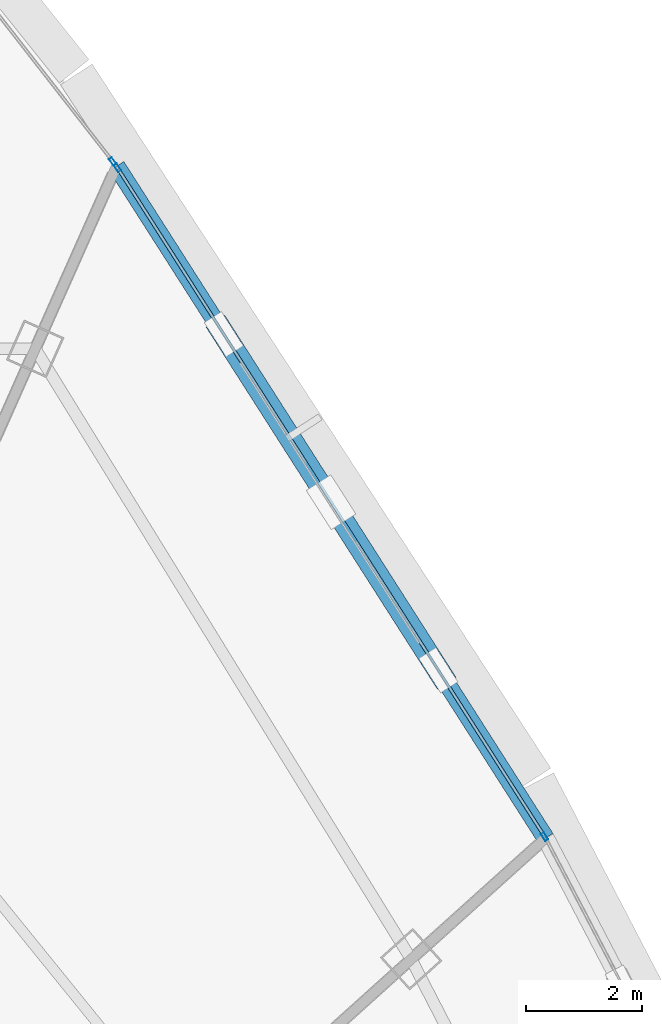
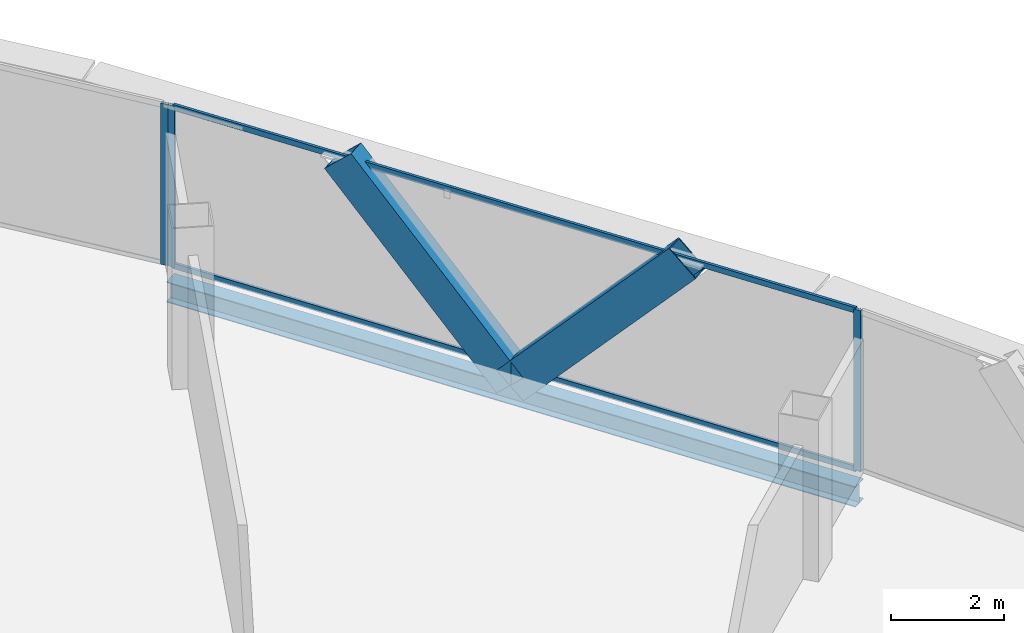
# One storey, part 23 of 37: 7 members, 1 beam, 2 elements without a shape of their own.
"""IFC4 building model written with IfcOpenShell, lengths in metres."""

from ifc_helpers import new_model, si_unit, direction, frame, origin, origin_2d, place, context, subcontext, project, spatial, hollow_rectangle, i_section, extrude, source, transform, mapped, material, layer, layer_set, material_profile, profile_set, type_object, element, aggregate, save


model = new_model("IFC4")

# Units and contexts
model_context = context("Model", 3, precision=1e-05, world=origin(), true_north=direction((0.0, 1.0)))
body_context = subcontext(model_context, "Body", "Model", "MODEL_VIEW")
ifc_project = project(units=[si_unit("LENGTHUNIT", "METRE"), si_unit("AREAUNIT", "SQUARE_METRE"), si_unit("VOLUMEUNIT", "CUBIC_METRE"), si_unit("PLANEANGLEUNIT", "RADIAN"), si_unit("MASSUNIT", "GRAM", prefix="KILO"), si_unit("THERMODYNAMICTEMPERATUREUNIT", "KELVIN"), si_unit("POWERUNIT", "WATT")], contexts=[model_context])

# Site, building, storey
site_placement = place(None, origin())
site = spatial("IfcSite", under=ifc_project, at=site_placement, CompositionType="ELEMENT")
building_placement = place(site_placement, origin())
building = spatial("IfcBuilding", under=site, at=building_placement, Name="Yunzhuo Pagoda Commons", CompositionType="ELEMENT")
storey_placement = place(building_placement, frame((0.0, 0.0, 281.2900390625)))
storey = spatial("IfcBuildingStorey", under=building, at=storey_placement, Name="L70", CompositionType="ELEMENT", Elevation=281.2900390625)

# Beam
ifc_material_1 = material(Name="Structural steel Q355B", Category="steel")
ifc_material_profile_1 = material_profile(ifc_material_1, i_section(OverallWidth=0.300048828125, OverallDepth=0.43994140625, WebThickness=0.010986328125, FlangeThickness=0.01806640625, at=origin_2d()), Name="Structural steel Q355B")
ifc_profile_set_1 = profile_set([ifc_material_profile_1], Name="Structural steel Q355B")
beam_type = type_object("IfcBeamType", Name="B-SP2 Beam HM 440x300x11x18", PredefinedType="BEAM", material=ifc_profile_set_1)
shared_shape_1 = source(origin(), body_context, "Body", "SweptSolid", [
    extrude(i_section(OverallWidth=0.300048828125, OverallDepth=0.43994140625, WebThickness=0.010986328125, FlangeThickness=0.01806640625, at=origin_2d()), origin(), (0.0, 0.0, 1.0), 13.6962890625),
])
beam_placement = place(storey_placement, frame((68.883056640625, 52.5029296875, -0.47998046875), z_axis=(-0.53827499395, 0.842769263137, 0.0), x_axis=(-0.842769263137, -0.53827499395, 0.0)))
element("IfcBeam", 1, at=beam_placement, inside=storey, type_object=beam_type, Name="L70 facade edge spandrel beam F2.3", PredefinedType="BEAM", context=body_context, shape_type="MappedRepresentation", body=[
    mapped(shared_shape_1, transform((0.0, 0.0, 0.0), scale=1.0)),
])

# Members
ifc_material_profile_2 = material_profile(ifc_material_1, hollow_rectangle(XDim=0.3798828125, YDim=0.719970703125, WallThickness=0.02001953125, at=origin_2d()), Name="Structural steel Q355B")
ifc_profile_set_2 = profile_set([ifc_material_profile_2], Name="Structural steel Q355B")
member_type_1 = type_object("IfcMemberType", Name="M-DL3 Brace BOX 720x380x20", PredefinedType="BRACE", material=ifc_profile_set_2)
shared_shape_2 = source(origin(), body_context, "Body", "SweptSolid", [
    extrude(hollow_rectangle(XDim=0.3798828125, YDim=0.719970703125, WallThickness=0.02001953125, at=origin_2d()), origin(), (0.0, 0.0, 1.0), 5.063232421875),
])
for number, where, z_axis, x_axis, name in (
    (2, (65.19677734375, 58.274169921875, -0.260009765625), (0.36400555644, -0.569900870519, 0.736690540637), (0.842761854784, 0.538286592924, 0.0), "L70 facade diamond brace F2.3L"),
    (3, (65.19677734375, 58.274169921875, -0.260009765625), (-0.363995553528, 0.569933427301, 0.736670296304), (-0.842782513918, -0.538254246833, 0.0), "L70 facade diamond brace F2.3R"),
):
    element("IfcMember", number, at=place(storey_placement, frame(where, z_axis=z_axis, x_axis=x_axis)), inside=storey, type_object=member_type_1, Name=name, PredefinedType="BRACE", context=body_context, shape_type="MappedRepresentation", body=[
        mapped(shared_shape_2, transform((0.0, 0.0, 0.0), scale=1.0)),
    ])

# Curtain wall, members
ifc_material_2 = material(Name="Anodized aluminium 6063-T6", Category="aluminium")
ifc_layer = layer(ifc_material_2, 0.139892578125)
ifc_layer_set = layer_set([ifc_layer], Name="Anodized aluminium 6063-T6")
curtain_wall_type = type_object("IfcCurtainWallType", Name="CW-HI High-Zone Ribbon Curtain Wall", PredefinedType="NOTDEFINED", material=ifc_layer_set)
curtain_wall_1_placement = place(storey_placement, origin())
curtain_wall_1 = element("IfcCurtainWall", 4, at=curtain_wall_1_placement, inside=storey, type_object=curtain_wall_type, Name="L70 curtain wall CW-L70-F2B4", PredefinedType="NOTDEFINED")
ifc_material_profile_3 = material_profile(ifc_material_2, hollow_rectangle(XDim=0.06005859375, YDim=0.139892578125, WallThickness=0.00341796875, at=origin_2d()), Name="Anodized aluminium 6063-T6")
ifc_profile_set_3 = profile_set([ifc_material_profile_3], Name="Anodized aluminium 6063-T6")
member_type_2 = type_object("IfcMemberType", Name="CW-HI-M Mullion RHS 140x60x3.5", PredefinedType="MULLION", material=ifc_profile_set_3)
shared_shape_3 = source(origin(), body_context, "Body", "SweptSolid", [
    extrude(hollow_rectangle(XDim=0.06005859375, YDim=0.139892578125, WallThickness=0.00341796875, at=origin_2d()), origin(), (0.0, 0.0, 1.0), 3.469970703125),
])
member_1_placement = place(storey_placement, frame((68.866455078125, 52.528076171875, 0.0), z_axis=(0.0, 0.0, 1.0), x_axis=(-0.842779157761, -0.538259501768, 0.0)))
member_1 = element("IfcMember", 5, at=member_1_placement, type_object=member_type_2, Name="CW mullion 1", PredefinedType="MULLION", context=body_context, shape_type="MappedRepresentation", body=[
    mapped(shared_shape_3, transform((0.0, 0.0, 0.0), scale=1.0)),
])
member_2_placement = place(storey_placement, frame((61.527099609375, 64.020263671875, 0.0), z_axis=(0.0, 0.0, 1.0), x_axis=(-0.842779157761, -0.538259501768, 0.0)))
member_2 = element("IfcMember", 6, at=member_2_placement, type_object=member_type_2, Name="CW mullion 2", PredefinedType="MULLION", context=body_context, shape_type="MappedRepresentation", body=[
    mapped(shared_shape_3, transform((0.0, 0.0, 0.0), scale=1.0)),
])

# Curtain wall, member
curtain_wall_2_placement = place(storey_placement, origin())
curtain_wall_2 = element("IfcCurtainWall", 7, at=curtain_wall_2_placement, inside=storey, type_object=curtain_wall_type, Name="L70 curtain wall CW-L70-F2B5", PredefinedType="NOTDEFINED")
member_3_placement = place(storey_placement, frame((61.446044921875, 64.12841796875, 0.0), z_axis=(0.0, 0.0, 1.0), x_axis=(-0.78878314481, -0.614671579353, 0.0)))
member_3 = element("IfcMember", 8, at=member_3_placement, type_object=member_type_2, Name="CW mullion 1", PredefinedType="MULLION", context=body_context, shape_type="MappedRepresentation", body=[
    mapped(shared_shape_3, transform((0.0, 0.0, 0.0), scale=1.0)),
])
aggregate(curtain_wall_2, [member_3])

# Member
ifc_material_profile_4 = material_profile(ifc_material_2, hollow_rectangle(XDim=0.054931640625, YDim=0.1201171875, WallThickness=0.00341796875, at=origin_2d()), Name="Anodized aluminium 6063-T6")
ifc_profile_set_4 = profile_set([ifc_material_profile_4], Name="Anodized aluminium 6063-T6")
member_type_3 = type_object("IfcMemberType", Name="CW-HI-T Transom RHS 120x55x3.5", PredefinedType="USERDEFINED", material=ifc_profile_set_4)
shared_shape_4 = source(origin(), body_context, "Body", "SweptSolid", [
    extrude(hollow_rectangle(XDim=0.054931640625, YDim=0.1201171875, WallThickness=0.00341796875, at=origin_2d()), origin(), (0.0, 0.0, 1.0), 13.575927734375),
])
member_4_placement = place(storey_placement, frame((68.850341796875, 52.553466796875, 0.02734375), z_axis=(-0.538254824974, 0.84278214468, 0.0), x_axis=(-0.84278214468, -0.538254824974, 0.0)))
member_4 = element("IfcMember", 9, at=member_4_placement, type_object=member_type_3, Name="CW transom 1.1", ObjectType="TRANSOM", PredefinedType="USERDEFINED", context=body_context, shape_type="MappedRepresentation", body=[
    mapped(shared_shape_4, transform((0.0, 0.0, 0.0), scale=1.0)),
])

member_5_placement = place(storey_placement, frame((68.850341796875, 52.553466796875, 3.4423828125), z_axis=(-0.538254824974, 0.84278214468, 0.0), x_axis=(-0.84278214468, -0.538254824974, 0.0)))
member_5 = element("IfcMember", 10, at=member_5_placement, type_object=member_type_3, Name="CW transom 1.2", ObjectType="TRANSOM", PredefinedType="USERDEFINED", context=body_context, shape_type="MappedRepresentation", body=[
    mapped(shared_shape_4, transform((0.0, 0.0, 0.0), scale=1.0)),
])

aggregate(curtain_wall_1, [member_1, member_2, member_4, member_5])

save(model, "model.ifc")
